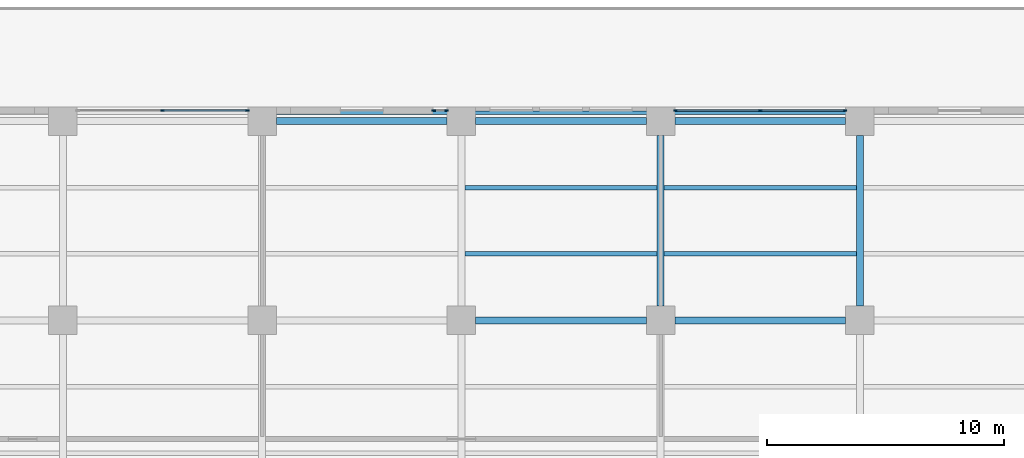
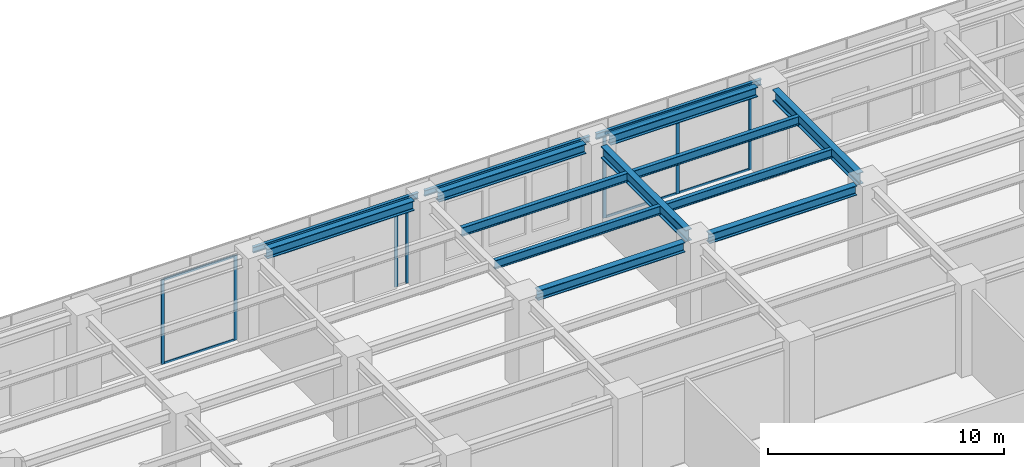
# One storey, part 14 of 53: 14 beams, 13 members, 3 elements without a shape of their own.
"""IFC4 building model written with IfcOpenShell, lengths in metres."""

from ifc_helpers import new_model, si_unit, direction, frame, origin, origin_2d, place, context, subcontext, project, spatial, rectangle, i_section, extrude, material, material_profile, profile_set, type_object, element, aggregate, save


model = new_model("IFC4")

# Units and contexts
model_context = context("Model", 3, precision=1e-05, world=origin(), true_north=direction((0.0, 1.0)))
body_context = subcontext(model_context, "Body", "Model", "MODEL_VIEW")
ifc_project = project(units=[si_unit("LENGTHUNIT", "METRE"), si_unit("AREAUNIT", "SQUARE_METRE"), si_unit("VOLUMEUNIT", "CUBIC_METRE"), si_unit("PLANEANGLEUNIT", "RADIAN"), si_unit("MASSUNIT", "GRAM", prefix="KILO")], contexts=[model_context])

# Site, building, storey
site_placement = place(None, origin())
site = spatial("IfcSite", under=ifc_project, at=site_placement, CompositionType="ELEMENT")
building_placement = place(site_placement, origin())
building = spatial("IfcBuilding", under=site, at=building_placement, Name="Khepri Terraces", CompositionType="ELEMENT")
storey_placement = place(building_placement, frame((0.0, 0.0, 7.199951171875)))
storey = spatial("IfcBuildingStorey", under=building, at=storey_placement, Name="L01", CompositionType="ELEMENT", Elevation=7.199951171875)

# Curtain wall, members
ifc_material_1 = material(Name="Anodised aluminium bronze curtain wall", Category="aluminium")
curtain_wall_type = type_object("IfcCurtainWallType", Name="CW-SYS2-PODIUM", PredefinedType="NOTDEFINED", material=ifc_material_1)
curtain_wall_1_placement = place(storey_placement, origin())
curtain_wall_1 = element("IfcCurtainWall", 1, at=curtain_wall_1_placement, inside=storey, type_object=curtain_wall_type, Name="Curtain wall CW2 L01 N", PredefinedType="NOTDEFINED")
ifc_material_2 = material(Name="Anodised aluminium bronze", Category="aluminium")
ifc_material_profile_1 = material_profile(ifc_material_2, rectangle(XDim=0.06005859375, YDim=0.159912109375, at=origin_2d()), Name="Anodised aluminium bronze", Category="aluminium")
ifc_profile_set_1 = profile_set([ifc_material_profile_1], Name="Anodised aluminium bronze")
member_type_1 = type_object("IfcMemberType", Name="CW-MULLION-60x160", PredefinedType="MULLION", material=ifc_profile_set_1)
member_1_placement = place(storey_placement, frame((16.169921875, 42.449951171875, 0.0), z_axis=(0.0, 0.0, 1.0), x_axis=(0.0, -1.0, 0.0)))
member_1 = element("IfcMember", 2, at=member_1_placement, type_object=member_type_1, Name="CW2 mullion 1", PredefinedType="MULLION", context=body_context, shape_type="SweptSolid", body=[
    extrude(rectangle(XDim=0.06005859375, YDim=0.159912109375, at=origin_2d()), origin(), (0.0, 0.0, 1.0), 4.380126953125),
])
member_2_placement = place(storey_placement, frame((12.60009765625, 42.449951171875, 0.0), z_axis=(0.0, 0.0, 1.0), x_axis=(0.0, -1.0, 0.0)))
member_2 = element("IfcMember", 3, at=member_2_placement, type_object=member_type_1, Name="CW2 mullion 2", PredefinedType="MULLION", context=body_context, shape_type="SweptSolid", body=[
    extrude(rectangle(XDim=0.06005859375, YDim=0.159912109375, at=origin_2d()), origin(), (0.0, 0.0, 1.0), 4.380126953125),
])
member_3_placement = place(storey_placement, frame((9.030029296875, 42.449951171875, 0.0), z_axis=(0.0, 0.0, 1.0), x_axis=(0.0, -1.0, 0.0)))
member_3 = element("IfcMember", 4, at=member_3_placement, type_object=member_type_1, Name="CW2 mullion 3", PredefinedType="MULLION", context=body_context, shape_type="SweptSolid", body=[
    extrude(rectangle(XDim=0.06005859375, YDim=0.159912109375, at=origin_2d()), origin(), (0.0, 0.0, 1.0), 4.380126953125),
])

curtain_wall_2_placement = place(storey_placement, origin())
curtain_wall_2 = element("IfcCurtainWall", 5, at=curtain_wall_2_placement, inside=storey, type_object=curtain_wall_type, Name="Curtain wall CW2 L01 N", PredefinedType="NOTDEFINED")
member_4_placement = place(storey_placement, frame((-0.6298828125, 42.449951171875, 0.0), z_axis=(0.0, 0.0, 1.0), x_axis=(0.0, -1.0, 0.0)))
member_4 = element("IfcMember", 6, at=member_4_placement, type_object=member_type_1, Name="CW2 mullion 1", PredefinedType="MULLION", context=body_context, shape_type="SweptSolid", body=[
    extrude(rectangle(XDim=0.06005859375, YDim=0.159912109375, at=origin_2d()), origin(), (0.0, 0.0, 1.0), 4.380126953125),
])
member_5_placement = place(storey_placement, frame((-1.169921875, 42.449951171875, 0.0), z_axis=(0.0, 0.0, 1.0), x_axis=(0.0, -1.0, 0.0)))
member_5 = element("IfcMember", 7, at=member_5_placement, type_object=member_type_1, Name="CW2 mullion 2", PredefinedType="MULLION", context=body_context, shape_type="SweptSolid", body=[
    extrude(rectangle(XDim=0.06005859375, YDim=0.159912109375, at=origin_2d()), origin(), (0.0, 0.0, 1.0), 4.380126953125),
])
aggregate(curtain_wall_2, [member_4, member_5])

curtain_wall_3_placement = place(storey_placement, origin())
curtain_wall_3 = element("IfcCurtainWall", 8, at=curtain_wall_3_placement, inside=storey, type_object=curtain_wall_type, Name="Curtain wall CW2 L01 N", PredefinedType="NOTDEFINED")
member_6_placement = place(storey_placement, frame((-9.030029296875, 42.449951171875, 0.0), z_axis=(0.0, 0.0, 1.0), x_axis=(0.0, -1.0, 0.0)))
member_6 = element("IfcMember", 9, at=member_6_placement, type_object=member_type_1, Name="CW2 mullion 1", PredefinedType="MULLION", context=body_context, shape_type="SweptSolid", body=[
    extrude(rectangle(XDim=0.06005859375, YDim=0.159912109375, at=origin_2d()), origin(), (0.0, 0.0, 1.0), 4.380126953125),
])
member_7_placement = place(storey_placement, frame((-12.60009765625, 42.449951171875, 0.0), z_axis=(0.0, 0.0, 1.0), x_axis=(0.0, -1.0, 0.0)))
member_7 = element("IfcMember", 10, at=member_7_placement, type_object=member_type_1, Name="CW2 mullion 2", PredefinedType="MULLION", context=body_context, shape_type="SweptSolid", body=[
    extrude(rectangle(XDim=0.06005859375, YDim=0.159912109375, at=origin_2d()), origin(), (0.0, 0.0, 1.0), 4.380126953125),
])

# Member
ifc_material_profile_2 = material_profile(ifc_material_2, rectangle(XDim=0.06005859375, YDim=0.1201171875, at=origin_2d()), Name="Anodised aluminium bronze", Category="aluminium")
ifc_profile_set_2 = profile_set([ifc_material_profile_2], Name="Anodised aluminium bronze")
member_type_2 = type_object("IfcMemberType", Name="CW-TRANSOM-60x120", PredefinedType="USERDEFINED", material=ifc_profile_set_2)
member_8_placement = place(storey_placement, frame((16.139892578125, 42.449951171875, 0.030029296875), z_axis=(-1.0, 0.0, 0.0), x_axis=(0.0, -1.0, 0.0)))
member_8 = element("IfcMember", 11, at=member_8_placement, type_object=member_type_2, Name="CW2 transom 1.1", ObjectType="TRANSOM", PredefinedType="USERDEFINED", context=body_context, shape_type="SweptSolid", body=[
    extrude(rectangle(XDim=0.06005859375, YDim=0.1201171875, at=origin_2d()), origin(), (0.0, 0.0, 1.0), 3.510009765625),
])

member_9_placement = place(storey_placement, frame((16.139892578125, 42.449951171875, 4.35009765625), z_axis=(-1.0, 0.0, 0.0), x_axis=(0.0, -1.0, 0.0)))
member_9 = element("IfcMember", 12, at=member_9_placement, type_object=member_type_2, Name="CW2 transom 1.2", ObjectType="TRANSOM", PredefinedType="USERDEFINED", context=body_context, shape_type="SweptSolid", body=[
    extrude(rectangle(XDim=0.06005859375, YDim=0.1201171875, at=origin_2d()), origin(), (0.0, 0.0, 1.0), 3.510009765625),
])

member_10_placement = place(storey_placement, frame((12.570068359375, 42.449951171875, 0.030029296875), z_axis=(-1.0, 0.0, 0.0), x_axis=(0.0, -1.0, 0.0)))
member_10 = element("IfcMember", 13, at=member_10_placement, type_object=member_type_2, Name="CW2 transom 2.1", ObjectType="TRANSOM", PredefinedType="USERDEFINED", context=body_context, shape_type="SweptSolid", body=[
    extrude(rectangle(XDim=0.06005859375, YDim=0.1201171875, at=origin_2d()), origin(), (0.0, 0.0, 1.0), 3.510009765625),
])

member_11_placement = place(storey_placement, frame((12.570068359375, 42.449951171875, 4.35009765625), z_axis=(-1.0, 0.0, 0.0), x_axis=(0.0, -1.0, 0.0)))
member_11 = element("IfcMember", 14, at=member_11_placement, type_object=member_type_2, Name="CW2 transom 2.2", ObjectType="TRANSOM", PredefinedType="USERDEFINED", context=body_context, shape_type="SweptSolid", body=[
    extrude(rectangle(XDim=0.06005859375, YDim=0.1201171875, at=origin_2d()), origin(), (0.0, 0.0, 1.0), 3.510009765625),
])

aggregate(curtain_wall_1, [member_1, member_2, member_3, member_8, member_9, member_10, member_11])

member_12_placement = place(storey_placement, frame((-9.06005859375, 42.449951171875, 0.030029296875), z_axis=(-1.0, 0.0, 0.0), x_axis=(0.0, -1.0, 0.0)))
member_12 = element("IfcMember", 15, at=member_12_placement, type_object=member_type_2, Name="CW2 transom 1.1", ObjectType="TRANSOM", PredefinedType="USERDEFINED", context=body_context, shape_type="SweptSolid", body=[
    extrude(rectangle(XDim=0.06005859375, YDim=0.1201171875, at=origin_2d()), origin(), (0.0, 0.0, 1.0), 3.510009765625),
])

member_13_placement = place(storey_placement, frame((-9.06005859375, 42.449951171875, 4.35009765625), z_axis=(-1.0, 0.0, 0.0), x_axis=(0.0, -1.0, 0.0)))
member_13 = element("IfcMember", 16, at=member_13_placement, type_object=member_type_2, Name="CW2 transom 1.2", ObjectType="TRANSOM", PredefinedType="USERDEFINED", context=body_context, shape_type="SweptSolid", body=[
    extrude(rectangle(XDim=0.06005859375, YDim=0.1201171875, at=origin_2d()), origin(), (0.0, 0.0, 1.0), 3.510009765625),
])

aggregate(curtain_wall_3, [member_6, member_7, member_12, member_13])

# Beams
ifc_material_3 = material(Name="Steel S355", Category="steel")
ifc_material_profile_3 = material_profile(ifc_material_3, i_section(OverallWidth=0.14990234375, OverallDepth=0.300048828125, WebThickness=0.007080078125, FlangeThickness=0.0107421875, FilletRadius=0.014892578125, at=origin_2d()), Name="Steel S355", Category="steel")
ifc_profile_set_3 = profile_set([ifc_material_profile_3], Name="Steel S355")
beam_type_1 = type_object("IfcBeamType", Name="Podium edge beam L02 IPE 300", PredefinedType="SPANDREL", material=ifc_profile_set_3)
for number, where, z_axis, x_axis, name in (
    (17, (-8.25, 42.35009765625, 4.449951171875), (1.0, 0.0, 0.0), (0.0, 1.0, 0.0), "Podium edge beam L02 015"),
    (18, (0.14990234375, 42.35009765625, 4.449951171875), (1.0, 0.0, 0.0), (0.0, 1.0, 0.0), "Podium edge beam L02 016"),
):
    element("IfcBeam", number, at=place(storey_placement, frame(where, z_axis=z_axis, x_axis=x_axis)), inside=storey, type_object=beam_type_1, Name=name, PredefinedType="SPANDREL", context=body_context, shape_type="SweptSolid", body=[
        extrude(i_section(OverallWidth=0.14990234375, OverallDepth=0.300048828125, WebThickness=0.007080078125, FlangeThickness=0.0107421875, FilletRadius=0.014892578125, at=origin_2d()), origin(), (0.0, 0.0, 1.0), 8.10009765625),
    ])
beam_1_placement = place(storey_placement, frame((8.550048828125, 42.35009765625, 4.449951171875), z_axis=(1.0, 0.0, 0.0), x_axis=(0.0, 1.0, 0.0)))
element("IfcBeam", 19, at=beam_1_placement, inside=storey, type_object=beam_type_1, Name="Podium edge beam L02 017", PredefinedType="SPANDREL", context=body_context, shape_type="SweptSolid", body=[
    extrude(i_section(OverallWidth=0.14990234375, OverallDepth=0.300048828125, WebThickness=0.007080078125, FlangeThickness=0.0107421875, FilletRadius=0.014892578125, at=origin_2d()), origin(), (0.0, 0.0, 1.0), 8.099853515625),
])
ifc_material_profile_4 = material_profile(ifc_material_3, i_section(OverallWidth=0.300048828125, OverallDepth=0.60009765625, WebThickness=0.015380859375, FlangeThickness=0.030029296875, FilletRadius=0.027099609375, at=origin_2d()), Name="Steel S355", Category="steel")
ifc_profile_set_4 = profile_set([ifc_material_profile_4], Name="Steel S355")
beam_type_2 = type_object("IfcBeamType", Name="Podium girder L02 HEB 600", PredefinedType="BEAM", material=ifc_profile_set_4)
for number, where, z_axis, x_axis, name in (
    (20, (8.39990234375, 34.199951171875, 4.300048828125), (0.0, 1.0, 0.0), (-1.0, 0.0, 0.0), "Podium girder L02 044"),
    (21, (16.800048828125, 34.199951171875, 4.300048828125), (0.0, 1.0, 0.0), (-1.0, 0.0, 0.0), "Podium girder L02 048"),
):
    element("IfcBeam", number, at=place(storey_placement, frame(where, z_axis=z_axis, x_axis=x_axis)), inside=storey, type_object=beam_type_2, Name=name, PredefinedType="BEAM", context=body_context, shape_type="SweptSolid", body=[
        extrude(i_section(OverallWidth=0.300048828125, OverallDepth=0.60009765625, WebThickness=0.015380859375, FlangeThickness=0.030029296875, FilletRadius=0.027099609375, at=origin_2d()), origin(), (0.0, 0.0, 1.0), 7.199951171875),
    ])
ifc_material_profile_5 = material_profile(ifc_material_3, i_section(OverallWidth=0.300048828125, OverallDepth=0.5, WebThickness=0.014404296875, FlangeThickness=0.028076171875, FilletRadius=0.027099609375, at=origin_2d()), Name="Steel S355", Category="steel")
ifc_profile_set_5 = profile_set([ifc_material_profile_5], Name="Steel S355")
beam_type_3 = type_object("IfcBeamType", Name="Podium girder L02 grid line HEB 500", PredefinedType="BEAM", material=ifc_profile_set_5)
for number, where, z_axis, x_axis, name in (
    (22, (0.60009765625, 33.60009765625, 4.35009765625), (1.0, 0.0, 0.0), (0.0, 1.0, 0.0), "Podium grid-line girder L02 170"),
    (23, (9.0, 33.60009765625, 4.35009765625), (1.0, 0.0, 0.0), (0.0, 1.0, 0.0), "Podium grid-line girder L02 171"),
    (24, (-7.800048828125, 42.0, 4.35009765625), (1.0, 0.0, 0.0), (0.0, 1.0, 0.0), "Podium grid-line girder L02 199"),
    (25, (0.60009765625, 42.0, 4.35009765625), (1.0, 0.0, 0.0), (0.0, 1.0, 0.0), "Podium grid-line girder L02 200"),
    (26, (9.0, 42.0, 4.35009765625), (1.0, 0.0, 0.0), (0.0, 1.0, 0.0), "Podium grid-line girder L02 201"),
):
    element("IfcBeam", number, at=place(storey_placement, frame(where, z_axis=z_axis, x_axis=x_axis)), inside=storey, type_object=beam_type_3, Name=name, PredefinedType="BEAM", context=body_context, shape_type="SweptSolid", body=[
        extrude(i_section(OverallWidth=0.300048828125, OverallDepth=0.5, WebThickness=0.014404296875, FlangeThickness=0.028076171875, FilletRadius=0.027099609375, at=origin_2d()), origin(), (0.0, 0.0, 1.0), 7.199951171875),
    ])
ifc_material_profile_6 = material_profile(ifc_material_3, i_section(OverallWidth=0.18994140625, OverallDepth=0.449951171875, WebThickness=0.009521484375, FlangeThickness=0.0146484375, FilletRadius=0.02099609375, at=origin_2d()), Name="Steel S355", Category="steel")
ifc_profile_set_6 = profile_set([ifc_material_profile_6], Name="Steel S355")
beam_type_4 = type_object("IfcBeamType", Name="Podium joist L02 IPE 450", PredefinedType="JOIST", material=ifc_profile_set_6)
beam_2_placement = place(storey_placement, frame((0.14990234375, 36.39990234375, 4.375), z_axis=(1.0, 0.0, 0.0), x_axis=(0.0, 1.0, 0.0)))
element("IfcBeam", 27, at=beam_2_placement, inside=storey, type_object=beam_type_4, Name="Podium joist L02 180", PredefinedType="JOIST", context=body_context, shape_type="SweptSolid", body=[
    extrude(i_section(OverallWidth=0.18994140625, OverallDepth=0.449951171875, WebThickness=0.009521484375, FlangeThickness=0.0146484375, FilletRadius=0.02099609375, at=origin_2d()), origin(), (0.0, 0.0, 1.0), 8.10009765625),
])
beam_3_placement = place(storey_placement, frame((8.550048828125, 36.39990234375, 4.375), z_axis=(1.0, 0.0, 0.0), x_axis=(0.0, 1.0, 0.0)))
element("IfcBeam", 28, at=beam_3_placement, inside=storey, type_object=beam_type_4, Name="Podium joist L02 181", PredefinedType="JOIST", context=body_context, shape_type="SweptSolid", body=[
    extrude(i_section(OverallWidth=0.18994140625, OverallDepth=0.449951171875, WebThickness=0.009521484375, FlangeThickness=0.0146484375, FilletRadius=0.02099609375, at=origin_2d()), origin(), (0.0, 0.0, 1.0), 8.099853515625),
])
beam_4_placement = place(storey_placement, frame((0.14990234375, 39.199951171875, 4.375), z_axis=(1.0, 0.0, 0.0), x_axis=(0.0, 1.0, 0.0)))
element("IfcBeam", 29, at=beam_4_placement, inside=storey, type_object=beam_type_4, Name="Podium joist L02 190", PredefinedType="JOIST", context=body_context, shape_type="SweptSolid", body=[
    extrude(i_section(OverallWidth=0.18994140625, OverallDepth=0.449951171875, WebThickness=0.009521484375, FlangeThickness=0.0146484375, FilletRadius=0.02099609375, at=origin_2d()), origin(), (0.0, 0.0, 1.0), 8.10009765625),
])
beam_5_placement = place(storey_placement, frame((8.550048828125, 39.199951171875, 4.375), z_axis=(1.0, 0.0, 0.0), x_axis=(0.0, 1.0, 0.0)))
element("IfcBeam", 30, at=beam_5_placement, inside=storey, type_object=beam_type_4, Name="Podium joist L02 191", PredefinedType="JOIST", context=body_context, shape_type="SweptSolid", body=[
    extrude(i_section(OverallWidth=0.18994140625, OverallDepth=0.449951171875, WebThickness=0.009521484375, FlangeThickness=0.0146484375, FilletRadius=0.02099609375, at=origin_2d()), origin(), (0.0, 0.0, 1.0), 8.099853515625),
])

save(model, "model.ifc")
